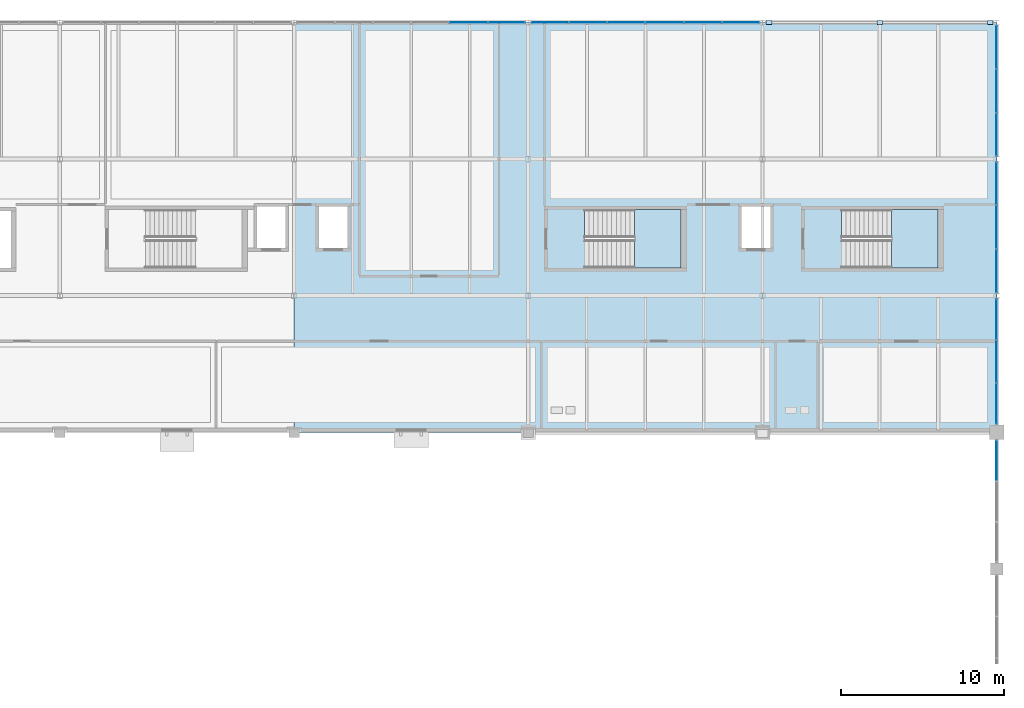
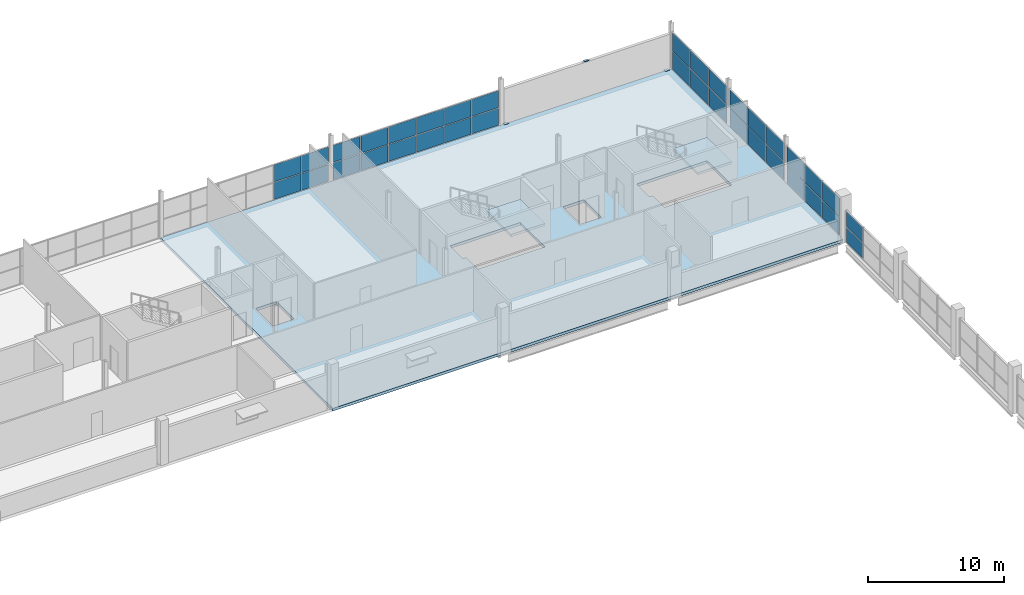
# One storey, part 56 of 68: 39 plates, 3 slabs, 8 elements without a shape of their own.
"""IFC4 building model written with IfcOpenShell, lengths in metres."""

from ifc_helpers import new_model, si_unit, direction, frame, origin, origin_2d, place, context, subcontext, project, spatial, polyline, rectangle, outline, extrude, material, layer, layer_set, type_object, element, aggregate, save


model = new_model("IFC4")

# Units and contexts
model_context = context("Model", 3, precision=1e-05, world=origin(), true_north=direction((0.0, 1.0)))
body_context = subcontext(model_context, "Body", "Model", "MODEL_VIEW")
ifc_project = project(units=[si_unit("LENGTHUNIT", "METRE"), si_unit("AREAUNIT", "SQUARE_METRE"), si_unit("VOLUMEUNIT", "CUBIC_METRE"), si_unit("PLANEANGLEUNIT", "RADIAN"), si_unit("MASSUNIT", "GRAM", prefix="KILO"), si_unit("THERMODYNAMICTEMPERATUREUNIT", "KELVIN")], contexts=[model_context])

# Site, building, storey
site_placement = place(None, origin())
site = spatial("IfcSite", under=ifc_project, at=site_placement, CompositionType="ELEMENT")
building_placement = place(site_placement, origin())
building = spatial("IfcBuilding", under=site, at=building_placement, Name="Nduvali Passage Aquatics Centre", CompositionType="ELEMENT")
storey_placement = place(building_placement, frame((0.0, 0.0, 13.199951171875)))
storey = spatial("IfcBuildingStorey", under=building, at=storey_placement, Name="L03", CompositionType="ELEMENT", Elevation=13.199951171875)

# Curtain wall, plates
ifc_material_1 = material(Name="Aluminium EN AW-6063 T6", Category="aluminium")
curtain_wall_type_1 = type_object("IfcCurtainWallType", Name="ENV-CW-WELL", PredefinedType="NOTDEFINED", material=ifc_material_1)
curtain_wall_1_placement = place(storey_placement, origin())
curtain_wall_1 = element("IfcCurtainWall", 1, at=curtain_wall_1_placement, inside=storey, type_object=curtain_wall_type_1, Name="L03 North Avenue Teaching CW 110", PredefinedType="NOTDEFINED")
ifc_material_2 = material(Name="Laminated solar-control low-E IGU")
ifc_layer_1 = layer(ifc_material_2, 0.028076171875, Name="Laminated solar-control low-E IGU")
ifc_layer_set_1 = layer_set([ifc_layer_1], Name="Laminated solar-control low-E IGU")
plate_type_1 = type_object("IfcPlateType", Name="ENV-PLT-GLZ28", PredefinedType="CURTAIN_PANEL", material=ifc_layer_set_1)
plate_1_placement = place(storey_placement, frame((93.52490234375, 117.60009765625, 0.06005859375), z_axis=(0.0, 0.0, 1.0), x_axis=(1.0, 0.0, 0.0)))
plate_1 = element("IfcPlate", 2, at=plate_1_placement, type_object=plate_type_1, Name="North Avenue Teaching CW Glazed Panel B5-R1", PredefinedType="CURTAIN_PANEL", context=body_context, shape_type="SweptSolid", body=[
    extrude(rectangle(XDim=2.2900390625, YDim=0.028076171875, at=origin_2d()), origin(), (0.0, 0.0, 1.0), 1.511962890625),
])
plate_2_placement = place(storey_placement, frame((93.52490234375, 117.60009765625, 1.6318359375), z_axis=(0.0, 0.0, 1.0), x_axis=(1.0, 0.0, 0.0)))
plate_2 = element("IfcPlate", 3, at=plate_2_placement, type_object=plate_type_1, Name="North Avenue Teaching CW Glazed Panel B5-R2", PredefinedType="CURTAIN_PANEL", context=body_context, shape_type="SweptSolid", body=[
    extrude(rectangle(XDim=2.2900390625, YDim=0.028076171875, at=origin_2d()), origin(), (0.0, 0.0, 1.0), 1.511962890625),
])
plate_3_placement = place(storey_placement, frame((95.860107421875, 117.60009765625, 0.06005859375), z_axis=(0.0, 0.0, 1.0), x_axis=(1.0, 0.0, 0.0)))
plate_3 = element("IfcPlate", 4, at=plate_3_placement, type_object=plate_type_1, Name="North Avenue Teaching CW Glazed Panel B6-R1", PredefinedType="CURTAIN_PANEL", context=body_context, shape_type="SweptSolid", body=[
    extrude(rectangle(XDim=2.260009765625, YDim=0.028076171875, at=origin_2d()), origin(), (0.0, 0.0, 1.0), 1.511962890625),
])
plate_4_placement = place(storey_placement, frame((95.860107421875, 117.60009765625, 1.6318359375), z_axis=(0.0, 0.0, 1.0), x_axis=(1.0, 0.0, 0.0)))
plate_4 = element("IfcPlate", 5, at=plate_4_placement, type_object=plate_type_1, Name="North Avenue Teaching CW Glazed Panel B6-R2", PredefinedType="CURTAIN_PANEL", context=body_context, shape_type="SweptSolid", body=[
    extrude(rectangle(XDim=2.260009765625, YDim=0.028076171875, at=origin_2d()), origin(), (0.0, 0.0, 1.0), 1.511962890625),
])
aggregate(curtain_wall_1, [plate_1, plate_2, plate_3, plate_4])

curtain_wall_2_placement = place(storey_placement, origin())
curtain_wall_2 = element("IfcCurtainWall", 6, at=curtain_wall_2_placement, inside=storey, type_object=curtain_wall_type_1, Name="L03 North Avenue Teaching CW 114", PredefinedType="NOTDEFINED")
plate_5_placement = place(storey_placement, frame((98.5400390625, 117.60009765625, 0.06005859375), z_axis=(0.0, 0.0, 1.0), x_axis=(1.0, 0.0, 0.0)))
plate_5 = element("IfcPlate", 7, at=plate_5_placement, type_object=plate_type_1, Name="North Avenue Teaching CW Glazed Panel B1-R1", PredefinedType="CURTAIN_PANEL", context=body_context, shape_type="SweptSolid", body=[
    extrude(rectangle(XDim=2.260009765625, YDim=0.028076171875, at=origin_2d()), origin(), (0.0, 0.0, 1.0), 1.511962890625),
])
plate_6_placement = place(storey_placement, frame((98.5400390625, 117.60009765625, 1.6318359375), z_axis=(0.0, 0.0, 1.0), x_axis=(1.0, 0.0, 0.0)))
plate_6 = element("IfcPlate", 8, at=plate_6_placement, type_object=plate_type_1, Name="North Avenue Teaching CW Glazed Panel B1-R2", PredefinedType="CURTAIN_PANEL", context=body_context, shape_type="SweptSolid", body=[
    extrude(rectangle(XDim=2.260009765625, YDim=0.028076171875, at=origin_2d()), origin(), (0.0, 0.0, 1.0), 1.511962890625),
])
plate_7_placement = place(storey_placement, frame((100.875, 117.60009765625, 0.06005859375), z_axis=(0.0, 0.0, 1.0), x_axis=(1.0, 0.0, 0.0)))
plate_7 = element("IfcPlate", 9, at=plate_7_placement, type_object=plate_type_1, Name="North Avenue Teaching CW Glazed Panel B2-R1", PredefinedType="CURTAIN_PANEL", context=body_context, shape_type="SweptSolid", body=[
    extrude(rectangle(XDim=2.2900390625, YDim=0.028076171875, at=origin_2d()), origin(), (0.0, 0.0, 1.0), 1.511962890625),
])
plate_8_placement = place(storey_placement, frame((100.875, 117.60009765625, 1.6318359375), z_axis=(0.0, 0.0, 1.0), x_axis=(1.0, 0.0, 0.0)))
plate_8 = element("IfcPlate", 10, at=plate_8_placement, type_object=plate_type_1, Name="North Avenue Teaching CW Glazed Panel B2-R2", PredefinedType="CURTAIN_PANEL", context=body_context, shape_type="SweptSolid", body=[
    extrude(rectangle(XDim=2.2900390625, YDim=0.028076171875, at=origin_2d()), origin(), (0.0, 0.0, 1.0), 1.511962890625),
])
plate_9_placement = place(storey_placement, frame((103.22509765625, 117.60009765625, 0.06005859375), z_axis=(0.0, 0.0, 1.0), x_axis=(1.0, 0.0, 0.0)))
plate_9 = element("IfcPlate", 11, at=plate_9_placement, type_object=plate_type_1, Name="North Avenue Teaching CW Glazed Panel B3-R1", PredefinedType="CURTAIN_PANEL", context=body_context, shape_type="SweptSolid", body=[
    extrude(rectangle(XDim=2.2900390625, YDim=0.028076171875, at=origin_2d()), origin(), (0.0, 0.0, 1.0), 1.511962890625),
])
plate_10_placement = place(storey_placement, frame((103.22509765625, 117.60009765625, 1.6318359375), z_axis=(0.0, 0.0, 1.0), x_axis=(1.0, 0.0, 0.0)))
plate_10 = element("IfcPlate", 12, at=plate_10_placement, type_object=plate_type_1, Name="North Avenue Teaching CW Glazed Panel B3-R2", PredefinedType="CURTAIN_PANEL", context=body_context, shape_type="SweptSolid", body=[
    extrude(rectangle(XDim=2.2900390625, YDim=0.028076171875, at=origin_2d()), origin(), (0.0, 0.0, 1.0), 1.511962890625),
])
plate_11_placement = place(storey_placement, frame((105.574951171875, 117.60009765625, 0.06005859375), z_axis=(0.0, 0.0, 1.0), x_axis=(1.0, 0.0, 0.0)))
plate_11 = element("IfcPlate", 13, at=plate_11_placement, type_object=plate_type_1, Name="North Avenue Teaching CW Glazed Panel B4-R1", PredefinedType="CURTAIN_PANEL", context=body_context, shape_type="SweptSolid", body=[
    extrude(rectangle(XDim=2.2900390625, YDim=0.028076171875, at=origin_2d()), origin(), (0.0, 0.0, 1.0), 1.511962890625),
])
plate_12_placement = place(storey_placement, frame((105.574951171875, 117.60009765625, 1.6318359375), z_axis=(0.0, 0.0, 1.0), x_axis=(1.0, 0.0, 0.0)))
plate_12 = element("IfcPlate", 14, at=plate_12_placement, type_object=plate_type_1, Name="North Avenue Teaching CW Glazed Panel B4-R2", PredefinedType="CURTAIN_PANEL", context=body_context, shape_type="SweptSolid", body=[
    extrude(rectangle(XDim=2.2900390625, YDim=0.028076171875, at=origin_2d()), origin(), (0.0, 0.0, 1.0), 1.511962890625),
])
plate_13_placement = place(storey_placement, frame((107.925048828125, 117.60009765625, 0.06005859375), z_axis=(0.0, 0.0, 1.0), x_axis=(1.0, 0.0, 0.0)))
plate_13 = element("IfcPlate", 15, at=plate_13_placement, type_object=plate_type_1, Name="North Avenue Teaching CW Glazed Panel B5-R1", PredefinedType="CURTAIN_PANEL", context=body_context, shape_type="SweptSolid", body=[
    extrude(rectangle(XDim=2.2900390625, YDim=0.028076171875, at=origin_2d()), origin(), (0.0, 0.0, 1.0), 1.511962890625),
])
plate_14_placement = place(storey_placement, frame((107.925048828125, 117.60009765625, 1.6318359375), z_axis=(0.0, 0.0, 1.0), x_axis=(1.0, 0.0, 0.0)))
plate_14 = element("IfcPlate", 16, at=plate_14_placement, type_object=plate_type_1, Name="North Avenue Teaching CW Glazed Panel B5-R2", PredefinedType="CURTAIN_PANEL", context=body_context, shape_type="SweptSolid", body=[
    extrude(rectangle(XDim=2.2900390625, YDim=0.028076171875, at=origin_2d()), origin(), (0.0, 0.0, 1.0), 1.511962890625),
])
plate_15_placement = place(storey_placement, frame((110.260009765625, 117.60009765625, 0.06005859375), z_axis=(0.0, 0.0, 1.0), x_axis=(1.0, 0.0, 0.0)))
plate_15 = element("IfcPlate", 17, at=plate_15_placement, type_object=plate_type_1, Name="North Avenue Teaching CW Glazed Panel B6-R1", PredefinedType="CURTAIN_PANEL", context=body_context, shape_type="SweptSolid", body=[
    extrude(rectangle(XDim=2.260009765625, YDim=0.028076171875, at=origin_2d()), origin(), (0.0, 0.0, 1.0), 1.511962890625),
])
plate_16_placement = place(storey_placement, frame((110.260009765625, 117.60009765625, 1.6318359375), z_axis=(0.0, 0.0, 1.0), x_axis=(1.0, 0.0, 0.0)))
plate_16 = element("IfcPlate", 18, at=plate_16_placement, type_object=plate_type_1, Name="North Avenue Teaching CW Glazed Panel B6-R2", PredefinedType="CURTAIN_PANEL", context=body_context, shape_type="SweptSolid", body=[
    extrude(rectangle(XDim=2.260009765625, YDim=0.028076171875, at=origin_2d()), origin(), (0.0, 0.0, 1.0), 1.511962890625),
])
aggregate(curtain_wall_2, [plate_5, plate_6, plate_7, plate_8, plate_9, plate_10, plate_11, plate_12, plate_13, plate_14, plate_15, plate_16])

curtain_wall_type_2 = type_object("IfcCurtainWallType", Name="ENV-CW-PASS", PredefinedType="NOTDEFINED", material=ifc_material_1)
curtain_wall_3_placement = place(storey_placement, origin())
curtain_wall_3 = element("IfcCurtainWall", 19, at=curtain_wall_3_placement, inside=storey, type_object=curtain_wall_type_2, Name="L03 East Passage Teaching CW 119", PredefinedType="NOTDEFINED")
plate_17_placement = place(storey_placement, frame((126.0, 94.1650390625, 0.06005859375), z_axis=(0.0, 0.0, 1.0), x_axis=(0.0, 1.0, 0.0)))
plate_17 = element("IfcPlate", 20, at=plate_17_placement, type_object=plate_type_1, Name="East Passage Teaching CW Glazed Panel B1-R1", PredefinedType="CURTAIN_PANEL", context=body_context, shape_type="SweptSolid", body=[
    extrude(rectangle(XDim=2.510009765625, YDim=0.028076171875, at=origin_2d()), origin(), (0.0, 0.0, 1.0), 1.623291015625),
])
plate_18_placement = place(storey_placement, frame((126.0, 94.1650390625, 1.7431640625), z_axis=(0.0, 0.0, 1.0), x_axis=(0.0, 1.0, 0.0)))
plate_18 = element("IfcPlate", 21, at=plate_18_placement, type_object=plate_type_1, Name="East Passage Teaching CW Glazed Panel B1-R2", PredefinedType="CURTAIN_PANEL", context=body_context, shape_type="SweptSolid", body=[
    extrude(rectangle(XDim=2.510009765625, YDim=0.028076171875, at=origin_2d()), origin(), (0.0, 0.0, 1.0), 1.623291015625),
])
plate_19_placement = place(storey_placement, frame((126.0, 96.75, 0.06005859375), z_axis=(0.0, 0.0, 1.0), x_axis=(0.0, 1.0, 0.0)))
plate_19 = element("IfcPlate", 22, at=plate_19_placement, type_object=plate_type_1, Name="East Passage Teaching CW Glazed Panel B2-R1", PredefinedType="CURTAIN_PANEL", context=body_context, shape_type="SweptSolid", body=[
    extrude(rectangle(XDim=2.5400390625, YDim=0.028076171875, at=origin_2d()), origin(), (0.0, 0.0, 1.0), 1.623291015625),
])
plate_20_placement = place(storey_placement, frame((126.0, 96.75, 1.7431640625), z_axis=(0.0, 0.0, 1.0), x_axis=(0.0, 1.0, 0.0)))
plate_20 = element("IfcPlate", 23, at=plate_20_placement, type_object=plate_type_1, Name="East Passage Teaching CW Glazed Panel B2-R2", PredefinedType="CURTAIN_PANEL", context=body_context, shape_type="SweptSolid", body=[
    extrude(rectangle(XDim=2.5400390625, YDim=0.028076171875, at=origin_2d()), origin(), (0.0, 0.0, 1.0), 1.623291015625),
])
plate_21_placement = place(storey_placement, frame((126.0, 99.3349609375, 0.06005859375), z_axis=(0.0, 0.0, 1.0), x_axis=(0.0, 1.0, 0.0)))
plate_21 = element("IfcPlate", 24, at=plate_21_placement, type_object=plate_type_1, Name="East Passage Teaching CW Glazed Panel B3-R1", PredefinedType="CURTAIN_PANEL", context=body_context, shape_type="SweptSolid", body=[
    extrude(rectangle(XDim=2.510009765625, YDim=0.028076171875, at=origin_2d()), origin(), (0.0, 0.0, 1.0), 1.623291015625),
])
plate_22_placement = place(storey_placement, frame((126.0, 99.3349609375, 1.7431640625), z_axis=(0.0, 0.0, 1.0), x_axis=(0.0, 1.0, 0.0)))
plate_22 = element("IfcPlate", 25, at=plate_22_placement, type_object=plate_type_1, Name="East Passage Teaching CW Glazed Panel B3-R2", PredefinedType="CURTAIN_PANEL", context=body_context, shape_type="SweptSolid", body=[
    extrude(rectangle(XDim=2.510009765625, YDim=0.028076171875, at=origin_2d()), origin(), (0.0, 0.0, 1.0), 1.623291015625),
])
aggregate(curtain_wall_3, [plate_17, plate_18, plate_19, plate_20, plate_21, plate_22])

curtain_wall_4_placement = place(storey_placement, origin())
curtain_wall_4 = element("IfcCurtainWall", 26, at=curtain_wall_4_placement, inside=storey, type_object=curtain_wall_type_2, Name="L03 East Passage Teaching CW 123", PredefinedType="NOTDEFINED")
plate_23_placement = place(storey_placement, frame((126.0, 102.31494140625, 0.06005859375), z_axis=(0.0, 0.0, 1.0), x_axis=(0.0, 1.0, 0.0)))
plate_23 = element("IfcPlate", 27, at=plate_23_placement, type_object=plate_type_1, Name="East Passage Teaching CW Glazed Panel B1-R1", PredefinedType="CURTAIN_PANEL", context=body_context, shape_type="SweptSolid", body=[
    extrude(rectangle(XDim=2.610107421875, YDim=0.028076171875, at=origin_2d()), origin(), (0.0, 0.0, 1.0), 1.623291015625),
])
plate_24_placement = place(storey_placement, frame((126.0, 102.31494140625, 1.7431640625), z_axis=(0.0, 0.0, 1.0), x_axis=(0.0, 1.0, 0.0)))
plate_24 = element("IfcPlate", 28, at=plate_24_placement, type_object=plate_type_1, Name="East Passage Teaching CW Glazed Panel B1-R2", PredefinedType="CURTAIN_PANEL", context=body_context, shape_type="SweptSolid", body=[
    extrude(rectangle(XDim=2.610107421875, YDim=0.028076171875, at=origin_2d()), origin(), (0.0, 0.0, 1.0), 1.623291015625),
])
plate_25_placement = place(storey_placement, frame((126.0, 105.0, 0.06005859375), z_axis=(0.0, 0.0, 1.0), x_axis=(0.0, 1.0, 0.0)))
plate_25 = element("IfcPlate", 29, at=plate_25_placement, type_object=plate_type_1, Name="East Passage Teaching CW Glazed Panel B2-R1", PredefinedType="CURTAIN_PANEL", context=body_context, shape_type="SweptSolid", body=[
    extrude(rectangle(XDim=2.639892578125, YDim=0.028076171875, at=origin_2d()), origin(), (0.0, 0.0, 1.0), 1.623291015625),
])
plate_26_placement = place(storey_placement, frame((126.0, 105.0, 1.7431640625), z_axis=(0.0, 0.0, 1.0), x_axis=(0.0, 1.0, 0.0)))
plate_26 = element("IfcPlate", 30, at=plate_26_placement, type_object=plate_type_1, Name="East Passage Teaching CW Glazed Panel B2-R2", PredefinedType="CURTAIN_PANEL", context=body_context, shape_type="SweptSolid", body=[
    extrude(rectangle(XDim=2.639892578125, YDim=0.028076171875, at=origin_2d()), origin(), (0.0, 0.0, 1.0), 1.623291015625),
])
plate_27_placement = place(storey_placement, frame((126.0, 107.68505859375, 0.06005859375), z_axis=(0.0, 0.0, 1.0), x_axis=(0.0, 1.0, 0.0)))
plate_27 = element("IfcPlate", 31, at=plate_27_placement, type_object=plate_type_1, Name="East Passage Teaching CW Glazed Panel B3-R1", PredefinedType="CURTAIN_PANEL", context=body_context, shape_type="SweptSolid", body=[
    extrude(rectangle(XDim=2.610107421875, YDim=0.028076171875, at=origin_2d()), origin(), (0.0, 0.0, 1.0), 1.623291015625),
])
plate_28_placement = place(storey_placement, frame((126.0, 107.68505859375, 1.7431640625), z_axis=(0.0, 0.0, 1.0), x_axis=(0.0, 1.0, 0.0)))
plate_28 = element("IfcPlate", 32, at=plate_28_placement, type_object=plate_type_1, Name="East Passage Teaching CW Glazed Panel B3-R2", PredefinedType="CURTAIN_PANEL", context=body_context, shape_type="SweptSolid", body=[
    extrude(rectangle(XDim=2.610107421875, YDim=0.028076171875, at=origin_2d()), origin(), (0.0, 0.0, 1.0), 1.623291015625),
])
aggregate(curtain_wall_4, [plate_23, plate_24, plate_25, plate_26, plate_27, plate_28])

curtain_wall_5_placement = place(storey_placement, origin())
curtain_wall_5 = element("IfcCurtainWall", 33, at=curtain_wall_5_placement, inside=storey, type_object=curtain_wall_type_2, Name="L03 East Passage North Teaching CW 126", PredefinedType="NOTDEFINED")
plate_29_placement = place(storey_placement, frame((126.0, 110.715087890625, 0.06005859375), z_axis=(0.0, 0.0, 1.0), x_axis=(0.0, 1.0, 0.0)))
plate_29 = element("IfcPlate", 34, at=plate_29_placement, type_object=plate_type_1, Name="East Passage North Teaching CW Glazed Panel B1-R1", PredefinedType="CURTAIN_PANEL", context=body_context, shape_type="SweptSolid", body=[
    extrude(rectangle(XDim=2.610107421875, YDim=0.028076171875, at=origin_2d()), origin(), (0.0, 0.0, 1.0), 1.623291015625),
])
plate_30_placement = place(storey_placement, frame((126.0, 110.715087890625, 1.7431640625), z_axis=(0.0, 0.0, 1.0), x_axis=(0.0, 1.0, 0.0)))
plate_30 = element("IfcPlate", 35, at=plate_30_placement, type_object=plate_type_1, Name="East Passage North Teaching CW Glazed Panel B1-R2", PredefinedType="CURTAIN_PANEL", context=body_context, shape_type="SweptSolid", body=[
    extrude(rectangle(XDim=2.610107421875, YDim=0.028076171875, at=origin_2d()), origin(), (0.0, 0.0, 1.0), 1.623291015625),
])
plate_31_placement = place(storey_placement, frame((126.0, 113.39990234375, 0.06005859375), z_axis=(0.0, 0.0, 1.0), x_axis=(0.0, 1.0, 0.0)))
plate_31 = element("IfcPlate", 36, at=plate_31_placement, type_object=plate_type_1, Name="East Passage North Teaching CW Glazed Panel B2-R1", PredefinedType="CURTAIN_PANEL", context=body_context, shape_type="SweptSolid", body=[
    extrude(rectangle(XDim=2.639892578125, YDim=0.028076171875, at=origin_2d()), origin(), (0.0, 0.0, 1.0), 1.623291015625),
])
plate_32_placement = place(storey_placement, frame((126.0, 113.39990234375, 1.7431640625), z_axis=(0.0, 0.0, 1.0), x_axis=(0.0, 1.0, 0.0)))
plate_32 = element("IfcPlate", 37, at=plate_32_placement, type_object=plate_type_1, Name="East Passage North Teaching CW Glazed Panel B2-R2", PredefinedType="CURTAIN_PANEL", context=body_context, shape_type="SweptSolid", body=[
    extrude(rectangle(XDim=2.639892578125, YDim=0.028076171875, at=origin_2d()), origin(), (0.0, 0.0, 1.0), 1.623291015625),
])
plate_33_placement = place(storey_placement, frame((126.0, 116.0849609375, 0.06005859375), z_axis=(0.0, 0.0, 1.0), x_axis=(0.0, 1.0, 0.0)))
plate_33 = element("IfcPlate", 38, at=plate_33_placement, type_object=plate_type_1, Name="East Passage North Teaching CW Glazed Panel B3-R1", PredefinedType="CURTAIN_PANEL", context=body_context, shape_type="SweptSolid", body=[
    extrude(rectangle(XDim=2.610107421875, YDim=0.028076171875, at=origin_2d()), origin(), (0.0, 0.0, 1.0), 1.623291015625),
])
plate_34_placement = place(storey_placement, frame((126.0, 116.0849609375, 1.7431640625), z_axis=(0.0, 0.0, 1.0), x_axis=(0.0, 1.0, 0.0)))
plate_34 = element("IfcPlate", 39, at=plate_34_placement, type_object=plate_type_1, Name="East Passage North Teaching CW Glazed Panel B3-R2", PredefinedType="CURTAIN_PANEL", context=body_context, shape_type="SweptSolid", body=[
    extrude(rectangle(XDim=2.610107421875, YDim=0.028076171875, at=origin_2d()), origin(), (0.0, 0.0, 1.0), 1.623291015625),
])
aggregate(curtain_wall_5, [plate_29, plate_30, plate_31, plate_32, plate_33, plate_34])

curtain_wall_type_3 = type_object("IfcCurtainWallType", Name="ENV-CW-CLER", PredefinedType="NOTDEFINED", material=ifc_material_1)
curtain_wall_6_placement = place(storey_placement, origin())
curtain_wall_6 = element("IfcCurtainWall", 40, at=curtain_wall_6_placement, inside=storey, type_object=curtain_wall_type_3, Name="L03 East Passage Pool Hall High Arch Clerestory 043", PredefinedType="NOTDEFINED")
ifc_layer_2 = layer(ifc_material_2, 0.031982421875, Name="Laminated solar-control low-E IGU")
ifc_layer_set_2 = layer_set([ifc_layer_2], Name="Laminated solar-control low-E IGU")
plate_type_2 = type_object("IfcPlateType", Name="ENV-PLT-GLZ32", PredefinedType="CURTAIN_PANEL", material=ifc_layer_set_2)
plate_35_placement = place(storey_placement, frame((126.0, 90.672607421875, 0.06005859375), z_axis=(0.0, 0.0, 1.0), x_axis=(0.0, 1.0, 0.0)))
plate_35 = element("IfcPlate", 41, at=plate_35_placement, type_object=plate_type_2, Name="East Passage Pool Hall High Arch Clerestory Glazed Panel B3-R1", PredefinedType="CURTAIN_PANEL", context=body_context, shape_type="SweptSolid", body=[
    extrude(rectangle(XDim=2.43505859375, YDim=0.031982421875, at=origin_2d()), origin(), (0.0, 0.0, 1.0), 1.360107421875),
])
plate_36_placement = place(storey_placement, frame((126.0, 90.672607421875, 1.47998046875), z_axis=(0.0, 0.0, 1.0), x_axis=(0.0, 1.0, 0.0)))
plate_36 = element("IfcPlate", 42, at=plate_36_placement, type_object=plate_type_2, Name="East Passage Pool Hall High Arch Clerestory Glazed Panel B3-R2", PredefinedType="CURTAIN_PANEL", context=body_context, shape_type="SweptSolid", body=[
    extrude(rectangle(XDim=2.43505859375, YDim=0.031982421875, at=origin_2d()), origin(), (0.0, 0.0, 1.0), 1.360107421875),
])
aggregate(curtain_wall_6, [plate_35, plate_36])

# Stair, slab
ifc_material_3 = material(Name="Concrete C40/50", Category="concrete")
stair_type = type_object("IfcStairType", Name="INT-STR-CORE172", PredefinedType="HALF_TURN_STAIR", material=ifc_material_3)
stair_1_placement = place(storey_placement, origin())
stair_1 = element("IfcStair", 43, at=stair_1_placement, inside=storey, type_object=stair_type, Name="L03 ST2", PredefinedType="HALF_TURN_STAIR")
ifc_layer_3 = layer(ifc_material_3, 0.219970703125, Name="Concrete C40/50")
ifc_layer_set_3 = layer_set([ifc_layer_3], Name="Concrete C40/50")
slab_type_1 = type_object("IfcSlabType", Name="INT-SLB-LAND170", PredefinedType="LANDING", material=ifc_layer_set_3)
slab_1_placement = place(storey_placement, frame((0.0, 0.0, 1.880126953125)))
slab_1 = element("IfcSlab", 44, at=slab_1_placement, type_object=slab_type_1, Name="ST2 landing 1", PredefinedType="LANDING", context=body_context, shape_type="SweptSolid", body=[
    extrude(outline(polyline([(119.530029296875, 102.5), (122.39990234375, 102.5), (122.39990234375, 106.090087890625), (119.530029296875, 106.090087890625), (119.530029296875, 102.5)])), origin(), (0.0, 0.0, 1.0), 0.219970703125),
])
aggregate(stair_1, [slab_1])

stair_2_placement = place(storey_placement, origin())
stair_2 = element("IfcStair", 45, at=stair_2_placement, inside=storey, type_object=stair_type, Name="L03 ST11", PredefinedType="HALF_TURN_STAIR")
slab_2_placement = place(storey_placement, frame((0.0, 0.0, 1.880126953125)))
slab_2 = element("IfcSlab", 46, at=slab_2_placement, type_object=slab_type_1, Name="ST11 landing 1", PredefinedType="LANDING", context=body_context, shape_type="SweptSolid", body=[
    extrude(outline(polyline([(103.72998046875, 102.5), (106.60009765625, 102.5), (106.60009765625, 106.090087890625), (103.72998046875, 106.090087890625), (103.72998046875, 102.5)])), origin(), (0.0, 0.0, 1.0), 0.219970703125),
])
aggregate(stair_2, [slab_2])

# Plates
ifc_material_4 = material(Name="Steel S355", Category="steel")
ifc_layer_4 = layer(ifc_material_4, 0.01611328125, Name="Steel S355")
ifc_layer_set_4 = layer_set([ifc_layer_4], Name="Steel S355")
plate_type_3 = type_object("IfcPlateType", Name="STR-PLT-CAP1", PredefinedType="SHEET", material=ifc_layer_set_4)
for number, where, z_axis, x_axis, name in (
    (47, (118.800048828125, 117.60009765625, 3.241943359375), (0.0, 0.0, 1.0), (1.0, 0.0, 0.0), "L03 Chevron Apex Gusset Plate 08"),
    (48, (112.0, 117.60009765625, -0.008056640625), (0.0, 0.0, 1.0), (1.0, 0.0, 0.0), "L03 Brace Foot Gusset Plate 0175"),
    (49, (125.60009765625, 117.60009765625, -0.008056640625), (0.0, 0.0, 1.0), (1.0, 0.0, 0.0), "L03 Brace Foot Gusset Plate 0176"),
):
    element("IfcPlate", number, at=place(storey_placement, frame(where, z_axis=z_axis, x_axis=x_axis)), inside=storey, type_object=plate_type_3, Name=name, PredefinedType="SHEET", context=body_context, shape_type="SweptSolid", body=[
        extrude(rectangle(XDim=0.340087890625, YDim=0.239990234375, at=origin_2d()), origin(), (0.0, 0.0, 1.0), 0.01611328125),
    ])

# Slab
ifc_layer_5 = layer(ifc_material_3, 0.25, Name="Concrete C40/50")
ifc_layer_set_5 = layer_set([ifc_layer_5], Name="Concrete C40/50")
slab_type_2 = type_object("IfcSlabType", Name="STR-SLB-FLR250", PredefinedType="FLOOR", material=ifc_layer_set_5)
slab_3_placement = place(storey_placement, frame((0.0, 0.0, -0.25)))
element("IfcSlab", 50, at=slab_3_placement, inside=storey, type_object=slab_type_2, Name="L03 Community Teaching and Administration Floor Slab 2", PredefinedType="FLOOR", context=body_context, shape_type="SweptSolid", body=[
    extrude(outline(polyline([(82.800048828125, 92.39990234375), (126.0, 92.39990234375), (126.0, 117.60009765625), (82.800048828125, 117.60009765625), (82.800048828125, 92.39990234375)]), holes=[polyline([(116.72998046875, 102.5), (122.39990234375, 102.5), (122.39990234375, 106.090087890625), (116.449951171875, 106.090087890625), (116.449951171875, 104.219970703125), (116.72998046875, 104.219970703125), (116.72998046875, 102.5)]), polyline([(100.929931640625, 102.5), (106.60009765625, 102.5), (106.60009765625, 106.090087890625), (100.64990234375, 106.090087890625), (100.64990234375, 104.219970703125), (100.929931640625, 104.219970703125), (100.929931640625, 102.5)]), polyline([(84.320068359375, 103.719970703125), (86.080078125, 103.719970703125), (86.080078125, 106.280029296875), (84.320068359375, 106.280029296875), (84.320068359375, 103.719970703125)]), polyline([(110.320068359375, 103.719970703125), (112.080078125, 103.719970703125), (112.080078125, 106.280029296875), (110.320068359375, 106.280029296875), (110.320068359375, 103.719970703125)])]), origin(), (0.0, 0.0, 1.0), 0.25),
])

save(model, "model.ifc")
